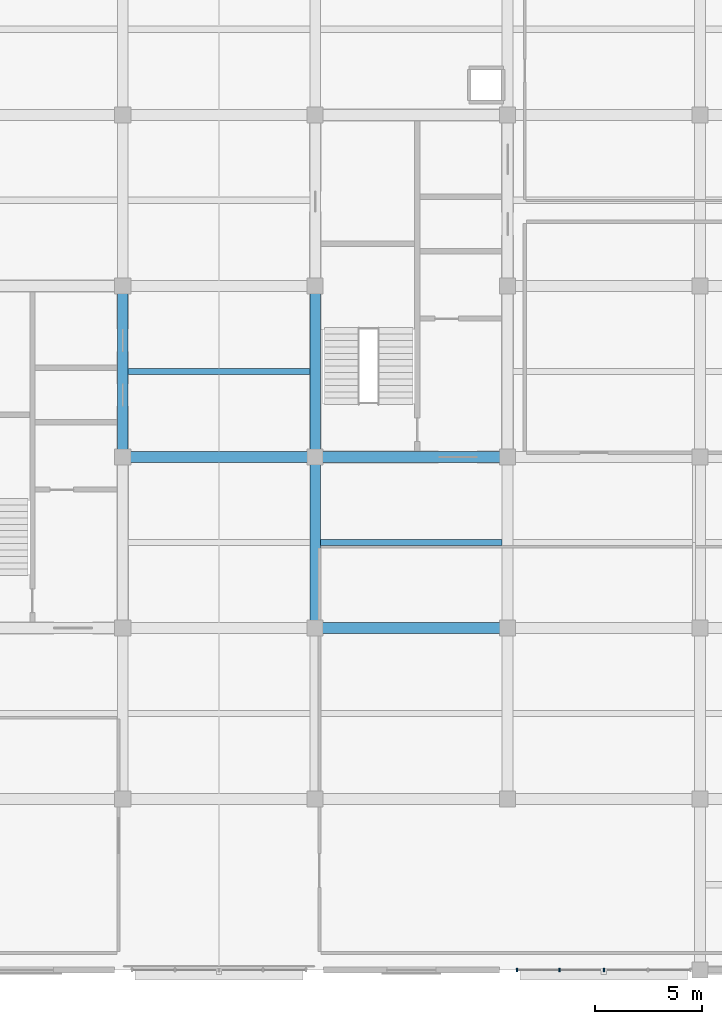
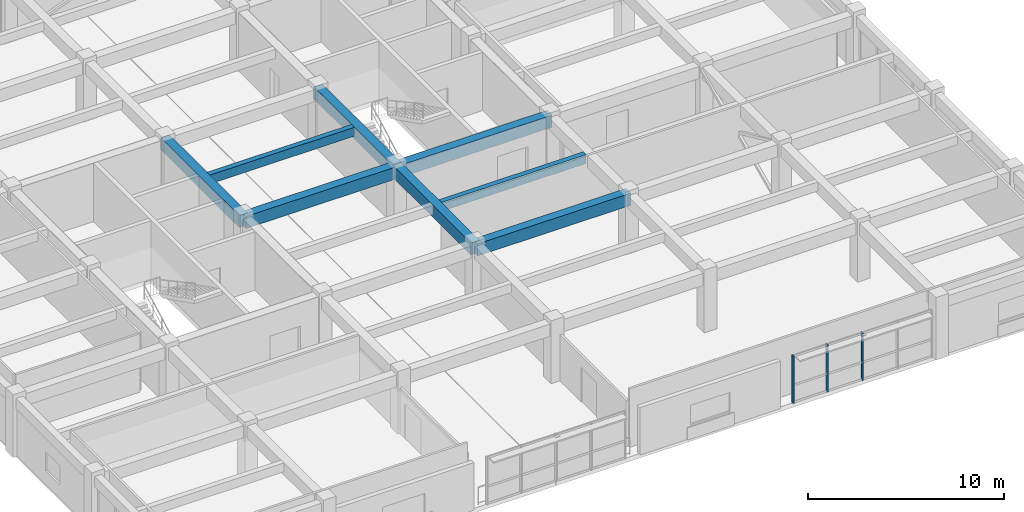
# One storey, part 5 of 15: 8 beams, 3 members, 1 element without a shape of its own.
"""IFC4 building model written with IfcOpenShell, lengths in metres."""

from ifc_helpers import new_model, si_unit, direction, frame, origin, origin_2d, place, context, subcontext, project, spatial, rectangle, extrude, material, material_profile, profile_set, type_object, element, aggregate, save


model = new_model("IFC4")

# Units and contexts
model_context = context("Model", 3, precision=1e-05, world=origin(), true_north=direction((0.0, 1.0)))
body_context = subcontext(model_context, "Body", "Model", "MODEL_VIEW")
ifc_project = project(units=[si_unit("LENGTHUNIT", "METRE"), si_unit("AREAUNIT", "SQUARE_METRE"), si_unit("VOLUMEUNIT", "CUBIC_METRE"), si_unit("PLANEANGLEUNIT", "RADIAN"), si_unit("MASSUNIT", "GRAM", prefix="KILO")], contexts=[model_context])

# Site, building, storey
site_placement = place(None, origin())
site = spatial("IfcSite", under=ifc_project, at=site_placement, CompositionType="ELEMENT")
building_placement = place(site_placement, origin())
building = spatial("IfcBuilding", under=site, at=building_placement, Name="Zaverband Oceanarium and Marine Research Institute", CompositionType="ELEMENT")
storey_placement = place(building_placement, frame((0.0, 0.0, 49.199951171875)))
storey = spatial("IfcBuildingStorey", under=building, at=storey_placement, Name="L12", CompositionType="ELEMENT", Elevation=49.199951171875)

# Beams
ifc_material_1 = material(Name="Concrete C40/50", Category="concrete")
ifc_material_profile_1 = material_profile(ifc_material_1, rectangle(XDim=0.5, YDim=0.75, at=origin_2d()), Name="RC500x750")
ifc_profile_set_1 = profile_set([ifc_material_profile_1], Name="Concrete C40/50")
beam_type_1 = type_object("IfcBeamType", Name="BM-500x750", PredefinedType="BEAM", material=ifc_profile_set_1)
for number, where, z_axis, x_axis, name in (
    (1, (36.0, 80.0, 3.2451171875), (1.0, 0.0, 0.0), (0.0, 1.0, 0.0), "Primary floor girder BM-500x750"),
    (2, (27.0, 88.0, 3.2451171875), (1.0, 0.0, 0.0), (0.0, 1.0, 0.0), "Primary floor girder BM-500x750"),
    (3, (36.0, 88.0, 3.2451171875), (1.0, 0.0, 0.0), (0.0, 1.0, 0.0), "Primary floor girder BM-500x750"),
):
    element("IfcBeam", number, at=place(storey_placement, frame(where, z_axis=z_axis, x_axis=x_axis)), inside=storey, type_object=beam_type_1, Name=name, PredefinedType="BEAM", context=body_context, shape_type="SweptSolid", body=[
        extrude(rectangle(XDim=0.5, YDim=0.75, at=origin_2d()), origin(), (0.0, 0.0, 1.0), 9.0),
    ])
for number, where, z_axis, x_axis, name in (
    (4, (27.0, 88.0, 3.2451171875), (0.0, 1.0, 0.0), (-1.0, 0.0, 0.0), "Primary floor girder BM-500x750"),
    (5, (36.0, 80.0, 3.2451171875), (0.0, 1.0, 0.0), (-1.0, 0.0, 0.0), "Primary floor girder BM-500x750"),
    (6, (36.0, 88.0, 3.2451171875), (0.0, 1.0, 0.0), (-1.0, 0.0, 0.0), "Primary floor girder BM-500x750"),
):
    element("IfcBeam", number, at=place(storey_placement, frame(where, z_axis=z_axis, x_axis=x_axis)), inside=storey, type_object=beam_type_1, Name=name, PredefinedType="BEAM", context=body_context, shape_type="SweptSolid", body=[
        extrude(rectangle(XDim=0.5, YDim=0.75, at=origin_2d()), origin(), (0.0, 0.0, 1.0), 8.0),
    ])
ifc_material_profile_2 = material_profile(ifc_material_1, rectangle(XDim=0.300048828125, YDim=0.550048828125, at=origin_2d()), Name="RC300x550")
ifc_profile_set_2 = profile_set([ifc_material_profile_2], Name="Concrete C40/50")
beam_type_2 = type_object("IfcBeamType", Name="JST-300x550", PredefinedType="JOIST", material=ifc_profile_set_2)
for number, where, z_axis, x_axis, name in (
    (7, (27.25, 92.0, 3.344970703125), (1.0, 0.0, 0.0), (0.0, 1.0, 0.0), "Secondary floor joist JST-300x550"),
    (8, (36.25, 84.0, 3.344970703125), (1.0, 0.0, 0.0), (0.0, 1.0, 0.0), "Secondary floor joist JST-300x550"),
):
    element("IfcBeam", number, at=place(storey_placement, frame(where, z_axis=z_axis, x_axis=x_axis)), inside=storey, type_object=beam_type_2, Name=name, PredefinedType="JOIST", context=body_context, shape_type="SweptSolid", body=[
        extrude(rectangle(XDim=0.300048828125, YDim=0.550048828125, at=origin_2d()), origin(), (0.0, 0.0, 1.0), 8.5),
    ])

# Curtain wall, members
ifc_material_2 = material(Name="Thermally broken anodized aluminium and solar-control glass", Category="aluminium")
curtain_wall_type = type_object("IfcCurtainWallType", Name="CW-UNIT-1800", PredefinedType="NOTDEFINED", material=ifc_material_2)
curtain_wall_placement = place(storey_placement, origin())
curtain_wall = element("IfcCurtainWall", 9, at=curtain_wall_placement, inside=storey, type_object=curtain_wall_type, Name="Unitised glazed curtain wall CW-132", PredefinedType="NOTDEFINED")
ifc_material_3 = material(Name="Thermally broken anodized aluminium", Category="aluminium")
ifc_material_profile_3 = material_profile(ifc_material_3, rectangle(XDim=0.070068359375, YDim=0.14990234375, at=origin_2d()), Name="AL-MUL-70x150")
ifc_profile_set_3 = profile_set([ifc_material_profile_3], Name="Thermally broken anodized aluminium")
member_type = type_object("IfcMemberType", Name="MUL-70x150", PredefinedType="MULLION", material=ifc_profile_set_3)
member_1_placement = place(storey_placement, frame((45.43994140625, 64.0, 0.0), z_axis=(0.0, 0.0, 1.0), x_axis=(1.0, 0.0, 0.0)))
member_1 = element("IfcMember", 10, at=member_1_placement, type_object=member_type, Name="Curtain wall vertical mullion MUL-70x150", PredefinedType="MULLION", context=body_context, shape_type="SweptSolid", body=[
    extrude(rectangle(XDim=0.070068359375, YDim=0.14990234375, at=origin_2d()), origin(), (0.0, 0.0, 1.0), 2.949951171875),
])
member_2_placement = place(storey_placement, frame((47.43994140625, 64.0, 0.0), z_axis=(0.0, 0.0, 1.0), x_axis=(1.0, 0.0, 0.0)))
member_2 = element("IfcMember", 11, at=member_2_placement, type_object=member_type, Name="Curtain wall vertical mullion MUL-70x150", PredefinedType="MULLION", context=body_context, shape_type="SweptSolid", body=[
    extrude(rectangle(XDim=0.070068359375, YDim=0.14990234375, at=origin_2d()), origin(), (0.0, 0.0, 1.0), 2.949951171875),
])
member_3_placement = place(storey_placement, frame((49.5, 64.0, 0.0), z_axis=(0.0, 0.0, 1.0), x_axis=(1.0, 0.0, 0.0)))
member_3 = element("IfcMember", 12, at=member_3_placement, type_object=member_type, Name="Curtain wall vertical mullion MUL-70x150", PredefinedType="MULLION", context=body_context, shape_type="SweptSolid", body=[
    extrude(rectangle(XDim=0.070068359375, YDim=0.14990234375, at=origin_2d()), origin(), (0.0, 0.0, 1.0), 2.949951171875),
])
aggregate(curtain_wall, [member_1, member_2, member_3])

save(model, "model.ifc")
